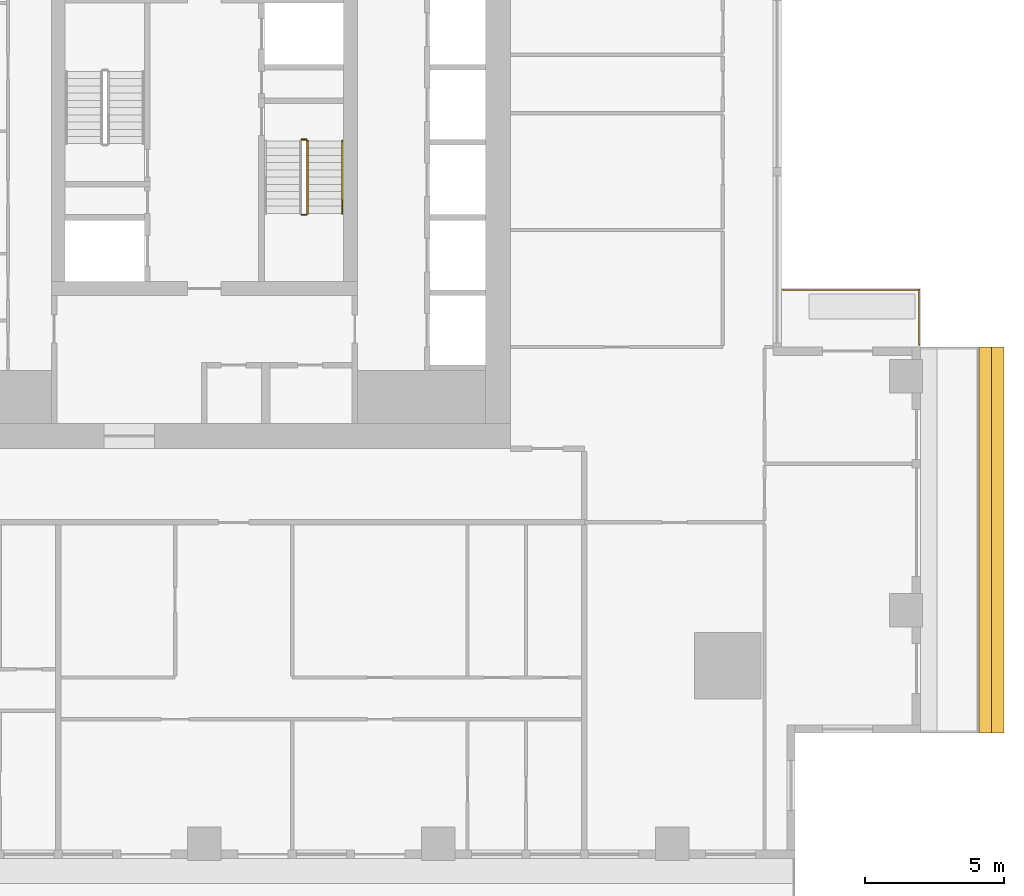
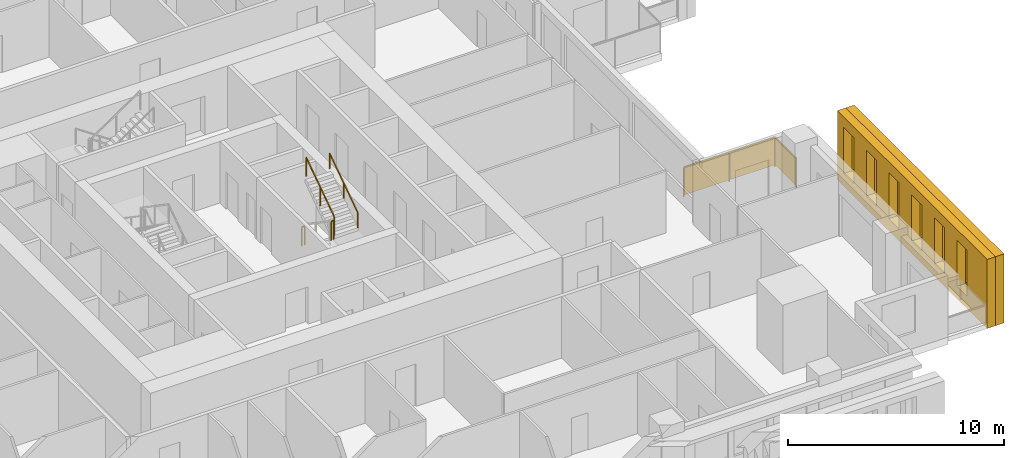
# One storey, part 14 of 16: 5 railings, 2 shading devices.
"""IFC4 building model written with IfcOpenShell, lengths in metres."""

from ifc_helpers import new_model, si_unit, direction, frame, origin, origin_2d, place, context, subcontext, project, spatial, polyline, rectangle, outline, extrude, material, type_object, element, save


model = new_model("IFC4")

# Units and contexts
model_context = context("Model", 3, precision=1e-05, world=origin(), true_north=direction((0.0, 1.0)))
body_context = subcontext(model_context, "Body", "Model", "MODEL_VIEW")
ifc_project = project(units=[si_unit("LENGTHUNIT", "METRE"), si_unit("AREAUNIT", "SQUARE_METRE"), si_unit("VOLUMEUNIT", "CUBIC_METRE"), si_unit("PLANEANGLEUNIT", "RADIAN"), si_unit("MASSUNIT", "GRAM", prefix="KILO")], contexts=[model_context])

# Site, building, storey
site_placement = place(None, origin())
site = spatial("IfcSite", under=ifc_project, at=site_placement, CompositionType="ELEMENT")
building_placement = place(site_placement, origin())
building = spatial("IfcBuilding", under=site, at=building_placement, Name="Khepri Terraces", CompositionType="ELEMENT")
storey_placement = place(building_placement, frame((0.0, 0.0, 204.0)))
storey = spatial("IfcBuildingStorey", under=building, at=storey_placement, Name="L48", CompositionType="ELEMENT", Elevation=204.0)

# Railings
ifc_material_1 = material(Name="Stainless steel grade 316", Category="steel")
railing_type_1 = type_object("IfcRailingType", Name="GRD-TERR-1700", PredefinedType="GUARDRAIL", material=ifc_material_1)
railing_1_placement = place(storey_placement, frame((20.7900390625, -5.300048828125, 0.0)))
element("IfcRailing", 1, at=railing_1_placement, inside=storey, type_object=railing_type_1, Name="Terrace guard L48", PredefinedType="GUARDRAIL", context=body_context, shape_type="SweptSolid", body=[
    extrude(rectangle(XDim=0.050048828125, YDim=0.06005859375, at=origin_2d()), frame((0.0, 0.0, 1.669921875), z_axis=(1.0, 0.0, 0.0), x_axis=(0.0, 1.0, 0.0)), (0.0, 0.0, 1.0), 4.8798828125),
    extrude(rectangle(XDim=2.389892578125, YDim=0.011962890625, at=origin_2d()), frame((1.219970703125, 0.0, 0.10009765625), z_axis=(0.0, 0.0, 1.0), x_axis=(1.0, 0.0, 0.0)), (0.0, 0.0, 1.0), 1.539794921875),
    extrude(rectangle(XDim=2.389892578125, YDim=0.011962890625, at=origin_2d()), frame((3.659912109375, 0.0, 0.10009765625), z_axis=(0.0, 0.0, 1.0), x_axis=(1.0, 0.0, 0.0)), (0.0, 0.0, 1.0), 1.539794921875),
    extrude(rectangle(XDim=0.050048828125, YDim=0.06005859375, at=origin_2d()), frame((4.8798828125, 0.0, 1.669921875), z_axis=(0.0, -1.0, 0.0), x_axis=(1.0, 0.0, 0.0)), (0.0, 0.0, 1.0), 1.97998046875),
    extrude(rectangle(XDim=1.929931640625, YDim=0.011962890625, at=origin_2d()), frame((4.8798828125, -0.989990234375, 0.10009765625), z_axis=(0.0, 0.0, 1.0), x_axis=(0.0, -1.0, 0.0)), (0.0, 0.0, 1.0), 1.539794921875),
    extrude(rectangle(XDim=0.050048828125, YDim=0.050048828125, at=origin_2d()), origin(), (0.0, 0.0, 1.0), 1.639892578125),
    extrude(rectangle(XDim=0.050048828125, YDim=0.050048828125, at=origin_2d()), frame((2.43994140625, 0.0, 0.0)), (0.0, 0.0, 1.0), 1.639892578125),
    extrude(rectangle(XDim=0.050048828125, YDim=0.050048828125, at=origin_2d()), frame((4.8798828125, 0.0, 0.0)), (0.0, 0.0, 1.0), 1.639892578125),
    extrude(rectangle(XDim=0.050048828125, YDim=0.050048828125, at=origin_2d()), frame((4.8798828125, -1.97998046875, 0.0)), (0.0, 0.0, 1.0), 1.639892578125),
])
ifc_material_2 = material(Name="Stainless steel 316", Category="steel")
railing_type_2 = type_object("IfcRailingType", Name="RL-CORE-GUARD", PredefinedType="GUARDRAIL", material=ifc_material_2)
railing_2_placement = place(storey_placement, frame((3.5, -2.60009765625, 1.949951171875)))
element("IfcRailing", 2, at=railing_2_placement, inside=storey, type_object=railing_type_2, Name="L48 ST-2 stair guard 2", PredefinedType="GUARDRAIL", context=body_context, shape_type="SweptSolid", body=[
    extrude(rectangle(XDim=0.050048828125, YDim=0.06005859375, at=origin_2d()), frame((0.0, 0.0, 1.070068359375), z_axis=(1.0, 0.0, 0.0), x_axis=(0.0, 1.0, 0.0)), (0.0, 0.0, 1.0), 0.14990234375),
    extrude(rectangle(XDim=0.050048828125, YDim=0.050048828125, at=origin_2d()), origin(), (0.0, 0.0, 1.0), 1.0400390625),
    extrude(rectangle(XDim=0.050048828125, YDim=0.050048828125, at=origin_2d()), frame((0.14990234375, 0.0, 0.0)), (0.0, 0.0, 1.0), 1.0400390625),
])
railing_3_placement = place(storey_placement, frame((3.699951171875, -2.550048828125, 2.127197265625)))
element("IfcRailing", 3, at=railing_3_placement, inside=storey, type_object=railing_type_2, Name="L48 ST-2 stair guard 3", PredefinedType="GUARDRAIL", context=body_context, shape_type="SweptSolid", body=[
    extrude(rectangle(XDim=0.050048828125, YDim=0.06005859375, at=origin_2d()), frame((0.0, 0.0, 1.070068359375), z_axis=(0.0, 0.826240473404, 0.563317565952), x_axis=(-1.0, 0.0, 0.0)), (0.0, 0.0, 1.0), 3.14697265625),
    extrude(rectangle(XDim=0.050048828125, YDim=0.050048828125, at=origin_2d()), origin(), (0.0, 0.0, 1.0), 1.0400390625),
    extrude(rectangle(XDim=0.050048828125, YDim=0.050048828125, at=origin_2d()), frame((0.0, 1.300048828125, 0.88623046875)), (0.0, 0.0, 1.0), 1.0400390625),
    extrude(rectangle(XDim=0.050048828125, YDim=0.050048828125, at=origin_2d()), frame((0.0, 2.60009765625, 1.772705078125)), (0.0, 0.0, 1.0), 1.0400390625),
])
railing_4_placement = place(storey_placement, frame((3.5, 0.10009765625, 0.0)))
element("IfcRailing", 4, at=railing_4_placement, inside=storey, type_object=railing_type_2, Name="L48 ST-2 stair guard 4", PredefinedType="GUARDRAIL", context=body_context, shape_type="SweptSolid", body=[
    extrude(rectangle(XDim=0.050048828125, YDim=0.06005859375, at=origin_2d()), frame((0.0, 0.0, 1.070068359375), z_axis=(1.0, 0.0, 0.0), x_axis=(0.0, 1.0, 0.0)), (0.0, 0.0, 1.0), 0.14990234375),
    extrude(rectangle(XDim=0.050048828125, YDim=0.050048828125, at=origin_2d()), origin(), (0.0, 0.0, 1.0), 1.0400390625),
    extrude(rectangle(XDim=0.050048828125, YDim=0.050048828125, at=origin_2d()), frame((0.14990234375, 0.0, 0.0)), (0.0, 0.0, 1.0), 1.0400390625),
])
railing_type_3 = type_object("IfcRailingType", Name="RL-CORE-HANDRAIL", PredefinedType="HANDRAIL", material=ifc_material_2)
railing_5_placement = place(storey_placement, frame((4.949951171875, -2.550048828125, 2.127197265625)))
element("IfcRailing", 5, at=railing_5_placement, inside=storey, type_object=railing_type_3, Name="L48 ST-2 stair handrail 2", PredefinedType="HANDRAIL", context=body_context, shape_type="SweptSolid", body=[
    extrude(rectangle(XDim=0.050048828125, YDim=0.050048828125, at=origin_2d()), frame((0.0, 0.0, 0.875), z_axis=(0.0, 0.826240473404, 0.563317565952), x_axis=(-1.0, 0.0, 0.0)), (0.0, 0.0, 1.0), 3.14697265625),
    extrude(rectangle(XDim=0.050048828125, YDim=0.050048828125, at=origin_2d()), origin(), (0.0, 0.0, 1.0), 0.849853515625),
    extrude(rectangle(XDim=0.050048828125, YDim=0.050048828125, at=origin_2d()), frame((0.0, 1.300048828125, 0.88623046875)), (0.0, 0.0, 1.0), 0.849853515625),
    extrude(rectangle(XDim=0.050048828125, YDim=0.050048828125, at=origin_2d()), frame((0.0, 2.60009765625, 1.772705078125)), (0.0, 0.0, 1.0), 0.849853515625),
])

# Shading devices
ifc_material_3 = material(Name="Precast concrete C50/60 warm stone", Category="masonry")
shading_device_type_1 = type_object("IfcShadingDeviceType", Name="SCR-CELL-INNER-450", PredefinedType="USERDEFINED", material=ifc_material_3)
shading_device_1_placement = place(storey_placement, frame((27.820068359375, -21.219970703125, -0.25), z_axis=(1.0, 0.0, 0.0), x_axis=(0.0, 1.0, 0.0)))
element("IfcShadingDevice", 6, at=shading_device_1_placement, inside=storey, type_object=shading_device_type_1, Name="Cell screen L48 E in", ObjectType="SCREEN", PredefinedType="USERDEFINED", context=body_context, shape_type="SweptSolid", body=[
    extrude(outline(polyline([(0.0, 0.0), (13.8701171875, 0.0), (13.8701171875, 3.89990234375), (0.0, 3.89990234375), (0.0, 0.0)]), holes=[polyline([(1.847412109375, 0.699951171875), (2.79248046875, 0.699951171875), (2.79248046875, 3.300048828125), (1.847412109375, 3.300048828125), (1.847412109375, 0.699951171875)]), polyline([(3.947509765625, 0.699951171875), (4.892578125, 0.699951171875), (4.892578125, 3.300048828125), (3.947509765625, 3.300048828125), (3.947509765625, 0.699951171875)]), polyline([(6.047607421875, 0.699951171875), (6.992431640625, 0.699951171875), (6.992431640625, 3.300048828125), (6.047607421875, 3.300048828125), (6.047607421875, 0.699951171875)]), polyline([(8.1474609375, 0.699951171875), (9.092529296875, 0.699951171875), (9.092529296875, 3.300048828125), (8.1474609375, 3.300048828125), (8.1474609375, 0.699951171875)]), polyline([(10.24755859375, 0.699951171875), (11.1923828125, 0.699951171875), (11.1923828125, 3.300048828125), (10.24755859375, 3.300048828125), (10.24755859375, 0.699951171875)]), polyline([(12.347412109375, 0.699951171875), (13.29248046875, 0.699951171875), (13.29248046875, 3.300048828125), (12.347412109375, 3.300048828125), (12.347412109375, 0.699951171875)])]), origin(), (0.0, 0.0, 1.0), 0.449951171875),
])
shading_device_type_2 = type_object("IfcShadingDeviceType", Name="SCR-CELL-OUTER-450", PredefinedType="USERDEFINED", material=ifc_material_3)
shading_device_2_placement = place(storey_placement, frame((28.27001953125, -21.219970703125, -0.25), z_axis=(1.0, 0.0, 0.0), x_axis=(0.0, 1.0, 0.0)))
element("IfcShadingDevice", 7, at=shading_device_2_placement, inside=storey, type_object=shading_device_type_2, Name="Cell screen L48 E out", ObjectType="SCREEN", PredefinedType="USERDEFINED", context=body_context, shape_type="SweptSolid", body=[
    extrude(outline(polyline([(0.0, 0.0), (13.8701171875, 0.0), (13.8701171875, 3.89990234375), (0.0, 3.89990234375), (0.0, 0.0)]), holes=[polyline([(1.49755859375, 0.449951171875), (3.142578125, 0.449951171875), (3.142578125, 3.550048828125), (1.49755859375, 3.550048828125), (1.49755859375, 0.449951171875)]), polyline([(3.597412109375, 0.449951171875), (5.242431640625, 0.449951171875), (5.242431640625, 3.550048828125), (3.597412109375, 3.550048828125), (3.597412109375, 0.449951171875)]), polyline([(5.697509765625, 0.449951171875), (7.342529296875, 0.449951171875), (7.342529296875, 3.550048828125), (5.697509765625, 3.550048828125), (5.697509765625, 0.449951171875)]), polyline([(7.797607421875, 0.449951171875), (9.4423828125, 0.449951171875), (9.4423828125, 3.550048828125), (7.797607421875, 3.550048828125), (7.797607421875, 0.449951171875)]), polyline([(9.8974609375, 0.449951171875), (11.54248046875, 0.449951171875), (11.54248046875, 3.550048828125), (9.8974609375, 3.550048828125), (9.8974609375, 0.449951171875)]), polyline([(11.99755859375, 0.449951171875), (13.642578125, 0.449951171875), (13.642578125, 3.550048828125), (11.99755859375, 3.550048828125), (11.99755859375, 0.449951171875)])]), origin(), (0.0, 0.0, 1.0), 0.449951171875),
])

save(model, "model.ifc")
